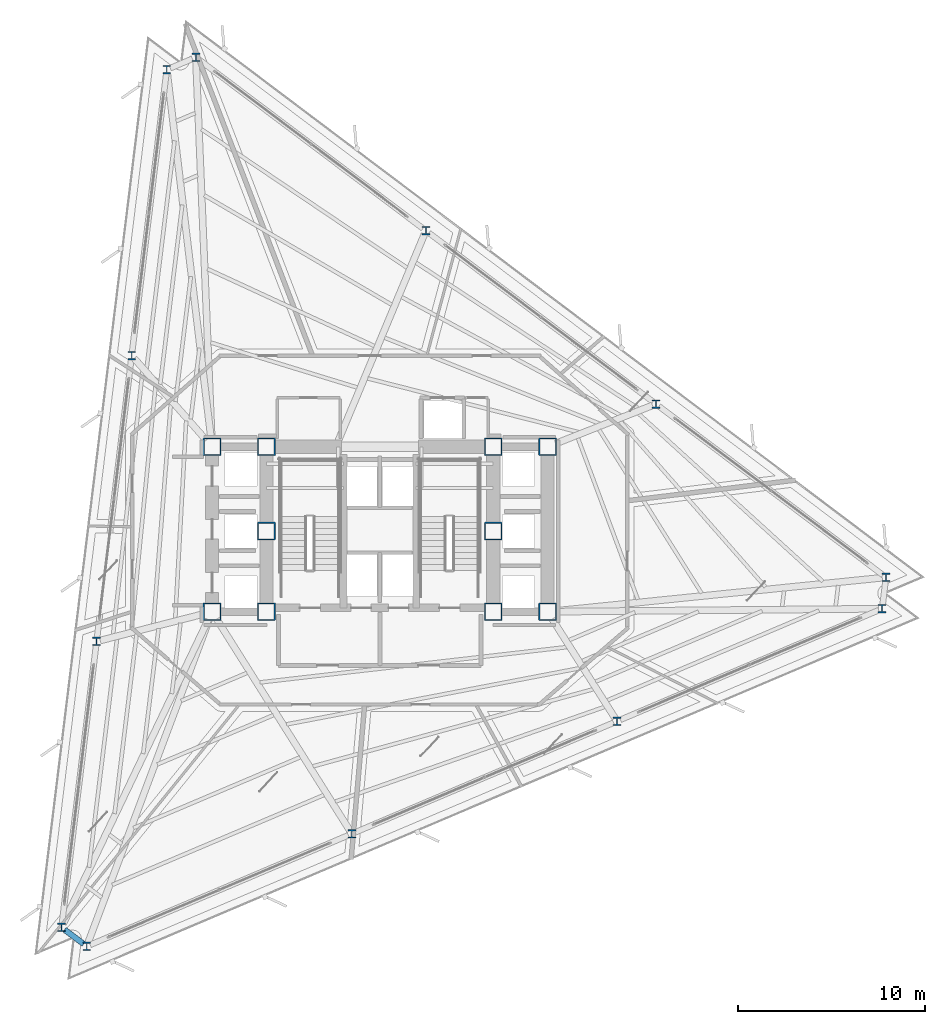
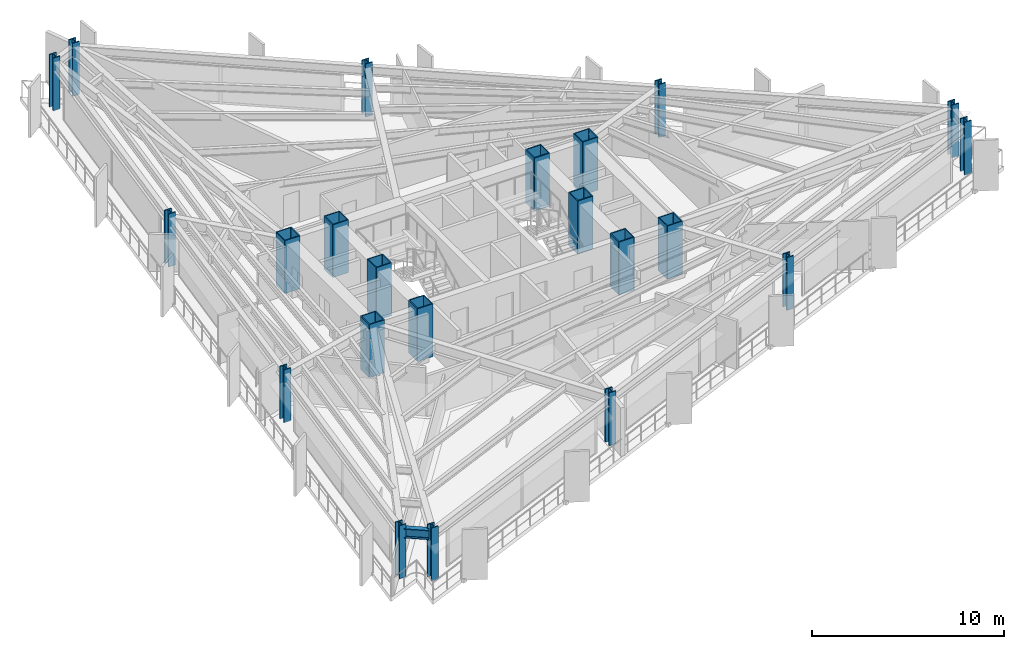
# One storey, part 1 of 13: 22 columns, 1 beam.
"""IFC4 building model written with IfcOpenShell, lengths in metres."""

from ifc_helpers import new_model, si_unit, direction, frame, origin, origin_2d, place, context, subcontext, project, spatial, hollow_rectangle, i_section, extrude, material, material_profile, profile_set, type_object, element, save


model = new_model("IFC4")

# Units and contexts
model_context = context("Model", 3, precision=1e-05, world=origin(), true_north=direction((0.0, 1.0)))
body_context = subcontext(model_context, "Body", "Model", "MODEL_VIEW")
ifc_project = project(units=[si_unit("LENGTHUNIT", "METRE"), si_unit("AREAUNIT", "SQUARE_METRE"), si_unit("VOLUMEUNIT", "CUBIC_METRE"), si_unit("PLANEANGLEUNIT", "RADIAN"), si_unit("MASSUNIT", "GRAM", prefix="KILO")], contexts=[model_context])

# Site, building, storey
site_placement = place(None, origin())
site = spatial("IfcSite", under=ifc_project, at=site_placement, CompositionType="ELEMENT")
building_placement = place(site_placement, origin())
building = spatial("IfcBuilding", under=site, at=building_placement, Name="Rocaltana Carrier Exchange", CompositionType="ELEMENT")
storey_placement = place(building_placement, frame((0.0, 0.0, 66.39990234375)))
storey = spatial("IfcBuildingStorey", under=building, at=storey_placement, Name="L20", CompositionType="ELEMENT", Elevation=66.39990234375)

# Columns
ifc_material_1 = material(Name="Steel S460", Category="steel")
ifc_material_profile_1 = material_profile(ifc_material_1, hollow_rectangle(XDim=0.949951171875, YDim=0.949951171875, WallThickness=0.06005859375, InnerFilletRadius=0.02001953125, OuterFilletRadius=0.0400390625, at=origin_2d()), Name="BOX950X950X60")
ifc_profile_set_1 = profile_set([ifc_material_profile_1], Name="Steel S460")
column_type_1 = type_object("IfcColumnType", Name="Core Mega-Column BOX950", PredefinedType="COLUMN", material=ifc_profile_set_1)
for number, where, z_axis, x_axis, name in (
    (1, (-6.050048828125, 4.5, 0.0), (0.0, 0.0, 1.0), (1.0, 0.0, 0.0), "L20 Core Mega-Column MC1"),
    (2, (6.050048828125, 4.5, 0.0), (0.0, 0.0, 1.0), (1.0, 0.0, 0.0), "L20 Core Mega-Column MC2"),
    (3, (-6.050048828125, 0.0, 0.0), (0.0, 0.0, 1.0), (1.0, 0.0, 0.0), "L20 Core Mega-Column MC3"),
    (4, (6.050048828125, 0.0, 0.0), (0.0, 0.0, 1.0), (1.0, 0.0, 0.0), "L20 Core Mega-Column MC4"),
    (5, (-6.050048828125, -4.300048828125, 0.0), (0.0, 0.0, 1.0), (1.0, 0.0, 0.0), "L20 Core Mega-Column MC5"),
    (6, (6.050048828125, -4.300048828125, 0.0), (0.0, 0.0, 1.0), (1.0, 0.0, 0.0), "L20 Core Mega-Column MC6"),
    (7, (-8.949951171875, 4.5, 0.0), (0.0, 0.0, 1.0), (1.0, 0.0, 0.0), "L20 West Core Column WC1"),
    (8, (-8.949951171875, -4.300048828125, 0.0), (0.0, 0.0, 1.0), (1.0, 0.0, 0.0), "L20 West Core Column WC2"),
    (9, (8.949951171875, 4.5, 0.0), (0.0, 0.0, 1.0), (1.0, 0.0, 0.0), "L20 East Core Column EC1"),
    (10, (8.949951171875, -4.300048828125, 0.0), (0.0, 0.0, 1.0), (1.0, 0.0, 0.0), "L20 East Core Column EC2"),
):
    element("IfcColumn", number, at=place(storey_placement, frame(where, z_axis=z_axis, x_axis=x_axis)), inside=storey, type_object=column_type_1, Name=name, PredefinedType="COLUMN", context=body_context, shape_type="SweptSolid", body=[
        extrude(hollow_rectangle(XDim=0.949951171875, YDim=0.949951171875, WallThickness=0.06005859375, InnerFilletRadius=0.02001953125, OuterFilletRadius=0.0400390625, at=origin_2d()), origin(), (0.0, 0.0, 1.0), 3.360107421875),
    ])
ifc_material_2 = material(Name="Steel S460", Category="steel")
ifc_material_profile_2 = material_profile(ifc_material_2, i_section(OverallWidth=0.41796875, OverallDepth=0.455078125, WebThickness=0.0419921875, FlangeThickness=0.067626953125, FilletRadius=0.02490234375, at=origin_2d()), Name="W14X370")
ifc_profile_set_2 = profile_set([ifc_material_profile_2], Name="Steel S460")
column_type_2 = type_object("IfcColumnType", Name="Perimeter Column W14X370", PredefinedType="COLUMN", material=ifc_profile_set_2)
for number, where, z_axis, x_axis, name in (
    (11, (27.0029296875, -2.466796875, 0.0), (0.0, 0.0, 1.0), (1.0, 0.0, 0.0), "L20 Perimeter Column TC01"),
    (12, (14.73046875, 6.781005859375, 0.0), (0.0, 0.0, 1.0), (1.0, 0.0, 0.0), "L20 Perimeter Column TC02"),
    (13, (2.458251953125, 16.029052734375, 0.0), (0.0, 0.0, 1.0), (1.0, 0.0, 0.0), "L20 Perimeter Column TC03"),
    (14, (-9.814208984375, 25.27685546875, 0.0), (0.0, 0.0, 1.0), (1.0, 0.0, 0.0), "L20 Perimeter Column TC04"),
    (15, (-11.365234375, 24.61865234375, 0.0), (0.0, 0.0, 1.0), (1.0, 0.0, 0.0), "L20 Perimeter Column TC05"),
    (16, (-13.23779296875, 9.366455078125, 0.0), (0.0, 0.0, 1.0), (1.0, 0.0, 0.0), "L20 Perimeter Column TC06"),
    (17, (-15.110595703125, -5.8857421875, 0.0), (0.0, 0.0, 1.0), (1.0, 0.0, 0.0), "L20 Perimeter Column TC07"),
    (18, (-16.9833984375, -21.1376953125, 0.0), (0.0, 0.0, 1.0), (1.0, 0.0, 0.0), "L20 Perimeter Column TC08"),
    (19, (-15.6376953125, -22.15185546875, 0.0), (0.0, 0.0, 1.0), (1.0, 0.0, 0.0), "L20 Perimeter Column TC09"),
    (20, (-1.49267578125, -16.147705078125, 0.0), (0.0, 0.0, 1.0), (1.0, 0.0, 0.0), "L20 Perimeter Column TC10"),
    (21, (12.652587890625, -10.143310546875, 0.0), (0.0, 0.0, 1.0), (1.0, 0.0, 0.0), "L20 Perimeter Column TC11"),
    (22, (26.797607421875, -4.13916015625, 0.0), (0.0, 0.0, 1.0), (1.0, 0.0, 0.0), "L20 Perimeter Column TC12"),
):
    element("IfcColumn", number, at=place(storey_placement, frame(where, z_axis=z_axis, x_axis=x_axis)), inside=storey, type_object=column_type_2, Name=name, PredefinedType="COLUMN", context=body_context, shape_type="SweptSolid", body=[
        extrude(i_section(OverallWidth=0.41796875, OverallDepth=0.455078125, WebThickness=0.0419921875, FlangeThickness=0.067626953125, FilletRadius=0.02490234375, at=origin_2d()), origin(), (0.0, 0.0, 1.0), 3.360107421875),
    ])

# Beam
ifc_material_3 = material(Name="Steel S355", Category="steel")
ifc_material_profile_3 = material_profile(ifc_material_3, i_section(OverallWidth=0.300048828125, OverallDepth=0.60009765625, WebThickness=0.015380859375, FlangeThickness=0.030029296875, FilletRadius=0.027099609375, at=origin_2d()), Name="HEB600")
ifc_profile_set_3 = profile_set([ifc_material_profile_3], Name="Steel S355")
beam_type = type_object("IfcBeamType", Name="Spandrel Edge Beam HEB600", PredefinedType="SPANDREL", material=ifc_profile_set_3)
beam_placement = place(storey_placement, frame((-16.822998046875, -21.2587890625, 2.798095703125), z_axis=(0.798765342934, -0.601642690414, 0.0), x_axis=(0.601642690414, 0.798765342934, 0.0)))
element("IfcBeam", 23, at=beam_placement, inside=storey, type_object=beam_type, Name="SP-L20-08", PredefinedType="SPANDREL", context=body_context, shape_type="SweptSolid", body=[
    extrude(i_section(OverallWidth=0.300048828125, OverallDepth=0.60009765625, WebThickness=0.015380859375, FlangeThickness=0.030029296875, FilletRadius=0.027099609375, at=origin_2d()), origin(), (0.0, 0.0, 1.0), 1.283203125),
])

save(model, "model.ifc")
